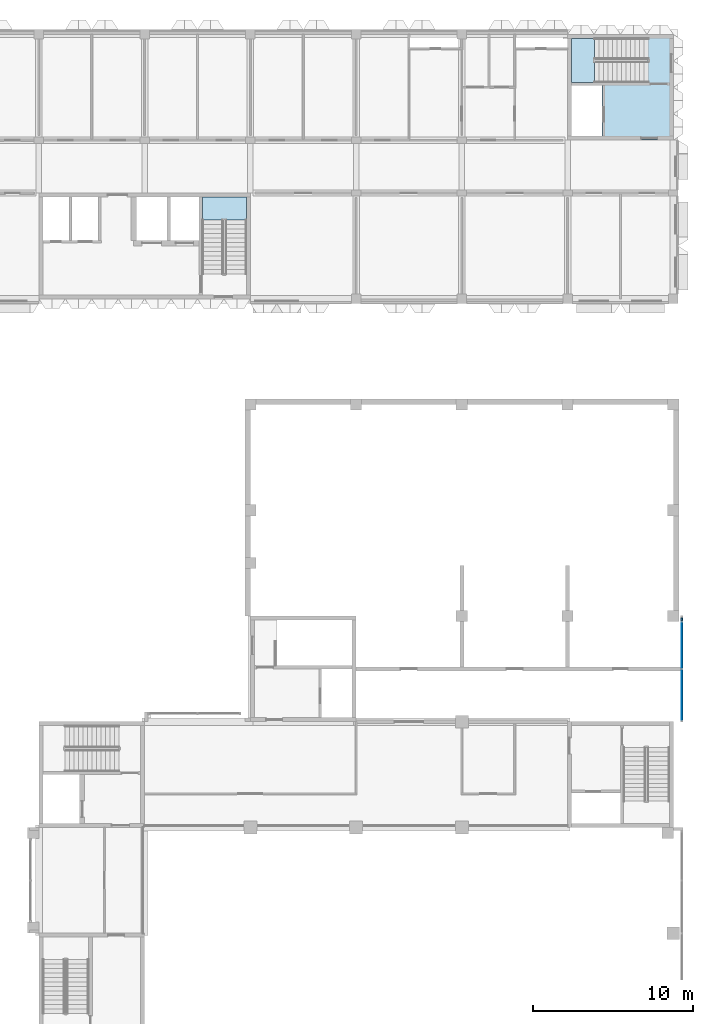
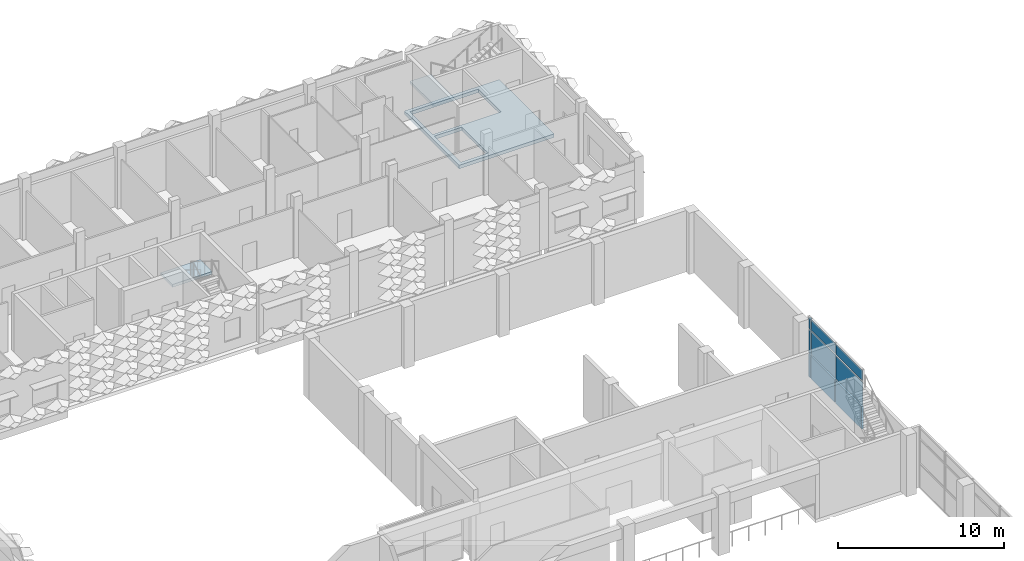
# One storey, part 25 of 87: 9 plates, 3 slabs, 3 elements without a shape of their own.
"""IFC4 building model written with IfcOpenShell, lengths in metres."""

from ifc_helpers import new_model, si_unit, direction, frame, origin, origin_2d, place, context, subcontext, project, spatial, polyline, rectangle, outline, extrude, material, layer, layer_set, type_object, element, aggregate, save


model = new_model("IFC4")

# Units and contexts
model_context = context("Model", 3, precision=1e-05, world=origin(), true_north=direction((0.0, 1.0)))
body_context = subcontext(model_context, "Body", "Model", "MODEL_VIEW")
ifc_project = project(units=[si_unit("LENGTHUNIT", "METRE"), si_unit("AREAUNIT", "SQUARE_METRE"), si_unit("VOLUMEUNIT", "CUBIC_METRE"), si_unit("PLANEANGLEUNIT", "RADIAN"), si_unit("MASSUNIT", "GRAM", prefix="KILO")], contexts=[model_context])

# Site, building, storey
site_placement = place(None, origin())
site = spatial("IfcSite", under=ifc_project, at=site_placement, CompositionType="ELEMENT")
building_placement = place(site_placement, origin())
building = spatial("IfcBuilding", under=site, at=building_placement, Name="Lantern Court Research Institute", CompositionType="ELEMENT")
storey_placement = place(building_placement, frame((0.0, 0.0, 5.39990234375)))
storey = spatial("IfcBuildingStorey", under=building, at=storey_placement, Name="L01", CompositionType="ELEMENT", Elevation=5.39990234375)

# Curtain wall, plates
ifc_material_1 = material(Name="Aluminium alloy 6063-T6", Category="aluminium")
curtain_wall_type = type_object("IfcCurtainWallType", Name="Curtain wall 6600 x 4500 x 150 aluminium frame", PredefinedType="NOTDEFINED", material=ifc_material_1)
curtain_wall_placement = place(storey_placement, origin())
curtain_wall = element("IfcCurtainWall", 1, at=curtain_wall_placement, inside=storey, type_object=curtain_wall_type, Name="Curtain wall CW016", PredefinedType="NOTDEFINED")
ifc_material_2 = material(Name="Fire-resisting insulated aluminium spandrel panel", Category="aluminium")
ifc_layer_1 = layer(ifc_material_2, 0.1201171875)
ifc_layer_set_1 = layer_set([ifc_layer_1], Name="Fire-resisting insulated aluminium spandrel panel")
plate_type_1 = type_object("IfcPlateType", Name="Fire-resisting spandrel panel 120 mm", PredefinedType="CURTAIN_PANEL", material=ifc_layer_set_1)
plate_1_placement = place(storey_placement, frame((79.72509765625, 57.77490234375, 0.10009765625), z_axis=(0.0, 0.0, 1.0), x_axis=(0.0, -1.0, 0.0)))
plate_1 = element("IfcPlate", 2, at=plate_1_placement, type_object=plate_type_1, Name="CW016 spandrel panel 1.1", PredefinedType="CURTAIN_PANEL", context=body_context, shape_type="SweptSolid", body=[
    extrude(rectangle(XDim=3.14990234375, YDim=0.1201171875, at=origin_2d()), origin(), (0.0, 0.0, 1.0), 1.64990234375),
])
plate_2_placement = place(storey_placement, frame((79.72509765625, 60.875, 0.10009765625), z_axis=(0.0, 0.0, 1.0), x_axis=(0.0, -1.0, 0.0)))
plate_2 = element("IfcPlate", 3, at=plate_2_placement, type_object=plate_type_1, Name="CW016 spandrel panel 2.1", PredefinedType="CURTAIN_PANEL", context=body_context, shape_type="SweptSolid", body=[
    extrude(rectangle(XDim=2.85009765625, YDim=0.1201171875, at=origin_2d()), origin(), (0.0, 0.0, 1.0), 1.64990234375),
])
plate_3_placement = place(storey_placement, frame((79.72509765625, 62.5, 0.10009765625), z_axis=(0.0, 0.0, 1.0), x_axis=(0.0, -1.0, 0.0)))
plate_3 = element("IfcPlate", 4, at=plate_3_placement, type_object=plate_type_1, Name="CW016 spandrel panel 3.1", PredefinedType="CURTAIN_PANEL", context=body_context, shape_type="SweptSolid", body=[
    extrude(rectangle(XDim=0.199951171875, YDim=0.1201171875, at=origin_2d()), origin(), (0.0, 0.0, 1.0), 1.64990234375),
])
plate_4_placement = place(storey_placement, frame((79.72509765625, 62.5, 1.85009765625), z_axis=(0.0, 0.0, 1.0), x_axis=(0.0, -1.0, 0.0)))
plate_4 = element("IfcPlate", 5, at=plate_4_placement, type_object=plate_type_1, Name="CW016 spandrel panel 3.2", PredefinedType="CURTAIN_PANEL", context=body_context, shape_type="SweptSolid", body=[
    extrude(rectangle(XDim=0.199951171875, YDim=0.1201171875, at=origin_2d()), origin(), (0.0, 0.0, 1.0), 1.699951171875),
])
plate_5_placement = place(storey_placement, frame((79.72509765625, 62.5, 3.650146484375), z_axis=(0.0, 0.0, 1.0), x_axis=(0.0, -1.0, 0.0)))
plate_5 = element("IfcPlate", 6, at=plate_5_placement, type_object=plate_type_1, Name="CW016 spandrel panel 3.3", PredefinedType="CURTAIN_PANEL", context=body_context, shape_type="SweptSolid", body=[
    extrude(rectangle(XDim=0.199951171875, YDim=0.1201171875, at=origin_2d()), origin(), (0.0, 0.0, 1.0), 0.75),
])
ifc_material_3 = material(Name="Laminated low-emissivity glass", Category="glass")
ifc_layer_2 = layer(ifc_material_3, 0.028076171875)
ifc_layer_set_2 = layer_set([ifc_layer_2], Name="Laminated low-emissivity glass")
plate_type_2 = type_object("IfcPlateType", Name="Laminated low-emissivity unit 28 mm", PredefinedType="CURTAIN_PANEL", material=ifc_layer_set_2)
plate_6_placement = place(storey_placement, frame((79.72509765625, 57.77490234375, 1.85009765625), z_axis=(0.0, 0.0, 1.0), x_axis=(0.0, -1.0, 0.0)))
plate_6 = element("IfcPlate", 7, at=plate_6_placement, type_object=plate_type_2, Name="CW016 glazed panel 1.2", PredefinedType="CURTAIN_PANEL", context=body_context, shape_type="SweptSolid", body=[
    extrude(rectangle(XDim=3.14990234375, YDim=0.028076171875, at=origin_2d()), origin(), (0.0, 0.0, 1.0), 1.699951171875),
])
plate_7_placement = place(storey_placement, frame((79.72509765625, 57.77490234375, 3.650146484375), z_axis=(0.0, 0.0, 1.0), x_axis=(0.0, -1.0, 0.0)))
plate_7 = element("IfcPlate", 8, at=plate_7_placement, type_object=plate_type_2, Name="CW016 glazed panel 1.3", PredefinedType="CURTAIN_PANEL", context=body_context, shape_type="SweptSolid", body=[
    extrude(rectangle(XDim=3.14990234375, YDim=0.028076171875, at=origin_2d()), origin(), (0.0, 0.0, 1.0), 0.75),
])
plate_8_placement = place(storey_placement, frame((79.72509765625, 60.875, 1.85009765625), z_axis=(0.0, 0.0, 1.0), x_axis=(0.0, -1.0, 0.0)))
plate_8 = element("IfcPlate", 9, at=plate_8_placement, type_object=plate_type_2, Name="CW016 glazed panel 2.2", PredefinedType="CURTAIN_PANEL", context=body_context, shape_type="SweptSolid", body=[
    extrude(rectangle(XDim=2.85009765625, YDim=0.028076171875, at=origin_2d()), origin(), (0.0, 0.0, 1.0), 1.699951171875),
])
plate_9_placement = place(storey_placement, frame((79.72509765625, 60.875, 3.650146484375), z_axis=(0.0, 0.0, 1.0), x_axis=(0.0, -1.0, 0.0)))
plate_9 = element("IfcPlate", 10, at=plate_9_placement, type_object=plate_type_2, Name="CW016 glazed panel 2.3", PredefinedType="CURTAIN_PANEL", context=body_context, shape_type="SweptSolid", body=[
    extrude(rectangle(XDim=2.85009765625, YDim=0.028076171875, at=origin_2d()), origin(), (0.0, 0.0, 1.0), 0.75),
])
aggregate(curtain_wall, [plate_1, plate_6, plate_7, plate_2, plate_8, plate_9, plate_3, plate_4, plate_5])

# Slab
ifc_material_4 = material(Name="Concrete C35/45", Category="concrete")
ifc_layer_3 = layer(ifc_material_4, 0.25)
ifc_layer_set_3 = layer_set([ifc_layer_3], Name="Concrete C35/45")
slab_type_1 = type_object("IfcSlabType", Name="RC core floor slab 250", PredefinedType="FLOOR", material=ifc_layer_set_3)
slab_1_placement = place(storey_placement, frame((0.0, 0.0, -0.25)))
element("IfcSlab", 11, at=slab_1_placement, inside=storey, type_object=slab_type_1, Name="Floor of core WC-E", PredefinedType="FLOOR", context=body_context, shape_type="SweptSolid", body=[
    extrude(outline(polyline([(72.60009765625, 92.39990234375), (79.199951171875, 92.39990234375), (79.199951171875, 99.0), (72.60009765625, 99.0), (72.60009765625, 92.39990234375)]), holes=[polyline([(77.60009765625, 98.75), (72.85009765625, 98.75), (72.85009765625, 96.0), (77.60009765625, 96.0), (77.60009765625, 98.75)]), polyline([(72.85009765625, 92.64990234375), (72.85009765625, 95.800048828125), (74.75, 95.800048828125), (74.75, 92.64990234375), (72.85009765625, 92.64990234375)])]), origin(), (0.0, 0.0, 1.0), 0.25),
])

# Stair, slab
ifc_material_5 = material(Name="Concrete C40/50", Category="concrete")
stair_type = type_object("IfcStairType", Name="RC half-turn stair 1300 wide, 4500 rise, 6100 shaft", PredefinedType="HALF_TURN_STAIR", material=ifc_material_5)
stair_1_placement = place(storey_placement, origin())
stair_1 = element("IfcStair", 12, at=stair_1_placement, inside=storey, type_object=stair_type, Name="L01 stair ST-W2", PredefinedType="HALF_TURN_STAIR")
ifc_material_6 = material(Name="Concrete C40/50", Category="concrete")
ifc_layer_4 = layer(ifc_material_6, 0.199951171875)
ifc_layer_set_4 = layer_set([ifc_layer_4], Name="Concrete C40/50")
slab_type_2 = type_object("IfcSlabType", Name="RC stair landing 200", PredefinedType="LANDING", material=ifc_layer_set_4)
slab_2_placement = place(storey_placement, frame((0.0, 0.0, 2.050048828125)))
slab_2 = element("IfcSlab", 13, at=slab_2_placement, type_object=slab_type_2, Name="ST-W2 landing 1", PredefinedType="LANDING", context=body_context, shape_type="SweptSolid", body=[
    extrude(outline(polyline([(52.550048828125, 87.409912109375), (52.550048828125, 88.85009765625), (49.800048828125, 88.85009765625), (49.800048828125, 87.409912109375), (52.550048828125, 87.409912109375)])), origin(), (0.0, 0.0, 1.0), 0.199951171875),
])
aggregate(stair_1, [slab_2])

stair_2_placement = place(storey_placement, origin())
stair_2 = element("IfcStair", 14, at=stair_2_placement, inside=storey, type_object=stair_type, Name="L01 stair ST-W3", PredefinedType="HALF_TURN_STAIR")
slab_3_placement = place(storey_placement, frame((0.0, 0.0, 2.050048828125)))
slab_3 = element("IfcSlab", 15, at=slab_3_placement, type_object=slab_type_2, Name="ST-W3 landing 1", PredefinedType="LANDING", context=body_context, shape_type="SweptSolid", body=[
    extrude(outline(polyline([(74.2900390625, 98.75), (72.85009765625, 98.75), (72.85009765625, 96.0), (74.2900390625, 96.0), (74.2900390625, 98.75)])), origin(), (0.0, 0.0, 1.0), 0.199951171875),
])
aggregate(stair_2, [slab_3])

save(model, "model.ifc")
